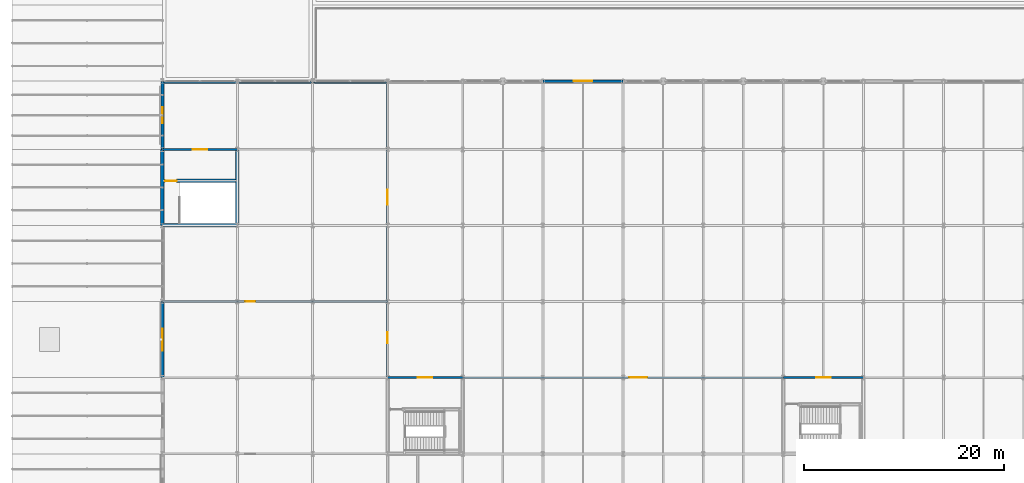
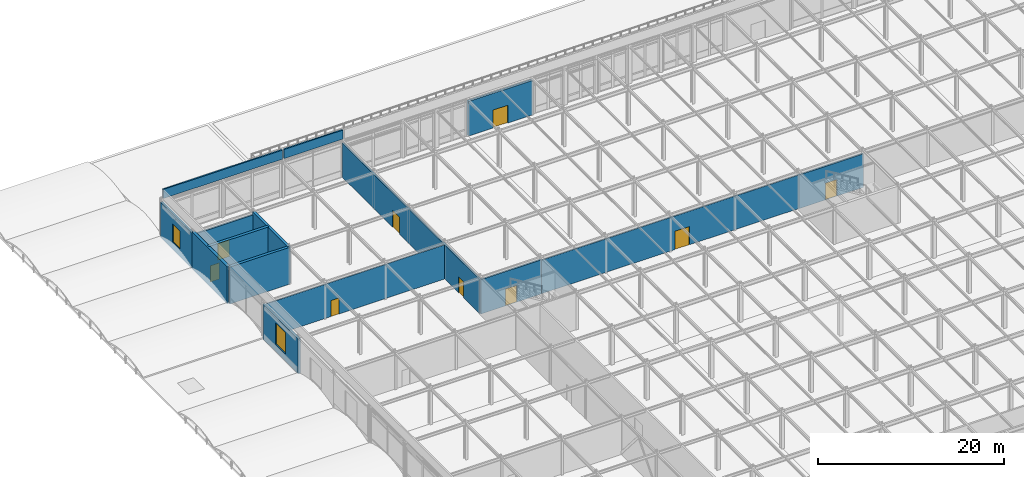
# One storey, part 100 of 113: 15 walls, 9 doors, 2 windows, 11 openings.
"""IFC4 building model written with IfcOpenShell, lengths in metres."""

from ifc_helpers import new_model, si_unit, direction, frame, frame_2d, origin, place, context, subcontext, project, spatial, rectangle, extrude, material, layer, layer_set, type_object, element, fill, save


model = new_model("IFC4")

# Units and contexts
model_context = context("Model", 3, precision=1e-05, world=origin(), true_north=direction((0.0, 1.0)))
body_context = subcontext(model_context, "Body", "Model", "MODEL_VIEW")
ifc_project = project(units=[si_unit("LENGTHUNIT", "METRE"), si_unit("AREAUNIT", "SQUARE_METRE"), si_unit("VOLUMEUNIT", "CUBIC_METRE"), si_unit("PLANEANGLEUNIT", "RADIAN"), si_unit("MASSUNIT", "GRAM", prefix="KILO")], contexts=[model_context])

# Site, building, storey
site_placement = place(None, origin())
site = spatial("IfcSite", under=ifc_project, at=site_placement, CompositionType="ELEMENT")
building_placement = place(site_placement, origin())
building = spatial("IfcBuilding", under=site, at=building_placement, Name="Shalkamar Park Central Library", CompositionType="ELEMENT")
storey_placement = place(building_placement, frame((0.0, 0.0, 5.39990234375)))
storey = spatial("IfcBuildingStorey", under=building, at=storey_placement, Name="L02", CompositionType="ELEMENT", Elevation=5.39990234375)

# Wall, opening, door
ifc_material_1 = material(Name="Acoustic insulated reading partition", Category="masonry")
ifc_layer_1 = layer(ifc_material_1, 0.139892578125)
ifc_layer_set_1 = layer_set([ifc_layer_1], Name="AcousticPartition_140")
wall_type_1 = type_object("IfcWallType", Name="Acoustic Partition 140", PredefinedType="PARTITIONING", material=ifc_layer_set_1)
wall_1_placement = place(storey_placement, frame((165.0, 308.39990234375, 0.0), z_axis=(0.0, 0.0, 1.0), x_axis=(1.0, 0.0, 0.0)))
wall_1 = element("IfcWall", 1, at=wall_1_placement, inside=storey, type_object=wall_type_1, Name="Interior Partition WL-INT-L02-028-S1", PredefinedType="PARTITIONING", context=body_context, shape_type="SweptSolid", body=[
    extrude(rectangle(XDim=32.0, YDim=0.139892578125, at=frame_2d((16.0, 0.0))), origin(), (0.0, 0.0, 1.0), 4.408203125),
])
opening_1_placement = place(wall_1_placement, frame((16.60009765625, 0.0, 0.0)))
opening_1 = element("IfcOpeningElement", 2, at=opening_1_placement, cuts=wall_1, Name="Opening DR-L02-032", PredefinedType="OPENING", context=body_context, shape_type="SweptSolid", body=[
    extrude(rectangle(XDim=1.800048828125, YDim=2.39990234375, at=frame_2d((0.89990234375, 1.199951171875))), frame((0.0, 0.0849609375, 0.0), z_axis=(0.0, -1.0, 0.0), x_axis=(1.0, 0.0, 0.0)), (0.0, 0.0, 1.0), 0.169677734375),
])
ifc_material_2 = material(Name="Steel S355", Category="steel")
door_type_1 = type_object("IfcDoorType", Name="Interior Door Double 1800x2400", OperationType="DOUBLE_DOOR_SINGLE_SWING", PredefinedType="DOOR", material=ifc_material_2)
door_1_placement = place(opening_1_placement, frame((1.800048828125, 0.0, 0.0), z_axis=(0.0, 0.0, 1.0), x_axis=(-1.0, 0.0, 0.0)))
door_1 = element("IfcDoor", 3, at=door_1_placement, inside=storey, type_object=door_type_1, Name="Humanities Reading Room West Portal", OperationType="DOUBLE_DOOR_SINGLE_SWING", OverallHeight=2.39990234375, OverallWidth=1.800048828125, PredefinedType="DOOR", context=body_context, shape_type="SweptSolid", body=[
    extrude(rectangle(XDim=1.800048828125, YDim=2.39990234375, at=frame_2d((0.89990234375, 1.199951171875))), frame((0.0, 0.02490234375, 0.0), z_axis=(0.0, -1.0, 0.0), x_axis=(1.0, 0.0, 0.0)), (0.0, 0.0, 1.0), 0.050048828125),
])
fill(opening_1, door_1)

ifc_material_3 = material(Name="Fire-rated corridor partition wall", Category="masonry")
ifc_layer_2 = layer(ifc_material_3, 0.199951171875)
ifc_layer_set_2 = layer_set([ifc_layer_2], Name="CorridorFireWall_200")
wall_type_2 = type_object("IfcWallType", Name="Corridor Fire Wall 200", PredefinedType="PARTITIONING", material=ifc_layer_set_2)
wall_2_placement = place(storey_placement, frame((157.5, 308.39990234375, 0.0), z_axis=(0.0, 0.0, 1.0), x_axis=(1.0, 0.0, 0.0)))
wall_2 = element("IfcWall", 4, at=wall_2_placement, inside=storey, type_object=wall_type_2, Name="CORE-P2 Vestibule North Wall (L02)", PredefinedType="PARTITIONING", context=body_context, shape_type="SweptSolid", body=[
    extrude(rectangle(XDim=7.5, YDim=0.199951171875, at=frame_2d((3.75, 0.0))), origin(), (0.0, 0.0, 1.0), 4.498046875),
])
opening_2_placement = place(wall_2_placement, frame((3.02490234375, 0.0, 0.0)))
opening_2 = element("IfcOpeningElement", 5, at=opening_2_placement, cuts=wall_2, Name="Opening DR-ST-P2-L02-VEST", PredefinedType="OPENING", context=body_context, shape_type="SweptSolid", body=[
    extrude(rectangle(XDim=1.449951171875, YDim=2.199951171875, at=frame_2d((0.72509765625, 1.10009765625))), frame((0.0, 0.11474609375, 0.0), z_axis=(0.0, -1.0, 0.0), x_axis=(1.0, 0.0, 0.0)), (0.0, 0.0, 1.0), 0.229736328125),
])
door_type_2 = type_object("IfcDoorType", Name="Stair Vestibule Door 1450x2200", OperationType="DOUBLE_DOOR_SINGLE_SWING", PredefinedType="DOOR", material=ifc_material_2)
door_2_placement = place(opening_2_placement, frame((1.449951171875, 0.0, 0.0), z_axis=(0.0, 0.0, 1.0), x_axis=(-1.0, 0.0, 0.0)))
door_2 = element("IfcDoor", 6, at=door_2_placement, inside=storey, type_object=door_type_2, Name="Protected Stair ST-P2 Vestibule Door (L02)", OperationType="DOUBLE_DOOR_SINGLE_SWING", OverallHeight=2.199951171875, OverallWidth=1.449951171875, PredefinedType="DOOR", context=body_context, shape_type="SweptSolid", body=[
    extrude(rectangle(XDim=1.449951171875, YDim=2.199951171875, at=frame_2d((0.72509765625, 1.10009765625))), frame((0.0, 0.02490234375, 0.0), z_axis=(0.0, -1.0, 0.0), x_axis=(1.0, 0.0, 0.0)), (0.0, 0.0, 1.0), 0.050048828125),
])
fill(opening_2, door_2)

wall_3_placement = place(storey_placement, frame((135.0, 331.199951171875, 0.0), z_axis=(0.0, 0.0, 1.0), x_axis=(1.0, 0.0, 0.0)))
wall_3 = element("IfcWall", 7, at=wall_3_placement, inside=storey, type_object=wall_type_2, Name="CORE-P5 Vestibule North Wall (L02)", PredefinedType="PARTITIONING", context=body_context, shape_type="SweptSolid", body=[
    extrude(rectangle(XDim=7.5, YDim=0.199951171875, at=frame_2d((3.75, 0.0))), origin(), (0.0, 0.0, 1.0), 4.488037109375),
])
opening_3_placement = place(wall_3_placement, frame((3.02490234375, 0.0, 0.0)))
opening_3 = element("IfcOpeningElement", 8, at=opening_3_placement, cuts=wall_3, Name="Opening DR-ST-P5-L02-VEST", PredefinedType="OPENING", context=body_context, shape_type="SweptSolid", body=[
    extrude(rectangle(XDim=1.449951171875, YDim=2.199951171875, at=frame_2d((0.72509765625, 1.10009765625))), frame((0.0, 0.11474609375, 0.0), z_axis=(0.0, -1.0, 0.0), x_axis=(1.0, 0.0, 0.0)), (0.0, 0.0, 1.0), 0.229736328125),
])
door_3_placement = place(opening_3_placement, frame((1.449951171875, 0.0, 0.0), z_axis=(0.0, 0.0, 1.0), x_axis=(-1.0, 0.0, 0.0)))
door_3 = element("IfcDoor", 9, at=door_3_placement, inside=storey, type_object=door_type_2, Name="Protected Stair ST-P5 Vestibule Door (L02)", OperationType="DOUBLE_DOOR_SINGLE_SWING", OverallHeight=2.199951171875, OverallWidth=1.449951171875, PredefinedType="DOOR", context=body_context, shape_type="SweptSolid", body=[
    extrude(rectangle(XDim=1.449951171875, YDim=2.199951171875, at=frame_2d((0.72509765625, 1.10009765625))), frame((0.0, 0.02490234375, 0.0), z_axis=(0.0, -1.0, 0.0), x_axis=(1.0, 0.0, 0.0)), (0.0, 0.0, 1.0), 0.050048828125),
])
fill(opening_3, door_3)

wall_4_placement = place(storey_placement, frame((197.0, 308.39990234375, 0.0), z_axis=(0.0, 0.0, 1.0), x_axis=(1.0, 0.0, 0.0)))
wall_4 = element("IfcWall", 10, at=wall_4_placement, inside=storey, type_object=wall_type_2, Name="CORE-P7 Vestibule North Wall (L02)", PredefinedType="PARTITIONING", context=body_context, shape_type="SweptSolid", body=[
    extrude(rectangle(XDim=8.0, YDim=0.199951171875, at=frame_2d((4.0, 0.0))), origin(), (0.0, 0.0, 1.0), 4.408203125),
])
opening_4_placement = place(wall_4_placement, frame((3.27490234375, 0.0, 0.0)))
opening_4 = element("IfcOpeningElement", 11, at=opening_4_placement, cuts=wall_4, Name="Opening DR-ST-P7-L02-VEST", PredefinedType="OPENING", context=body_context, shape_type="SweptSolid", body=[
    extrude(rectangle(XDim=1.449951171875, YDim=2.199951171875, at=frame_2d((0.72509765625, 1.10009765625))), frame((0.0, 0.11474609375, 0.0), z_axis=(0.0, -1.0, 0.0), x_axis=(1.0, 0.0, 0.0)), (0.0, 0.0, 1.0), 0.229736328125),
])
door_4_placement = place(opening_4_placement, frame((1.449951171875, 0.0, 0.0), z_axis=(0.0, 0.0, 1.0), x_axis=(-1.0, 0.0, 0.0)))
door_4 = element("IfcDoor", 12, at=door_4_placement, inside=storey, type_object=door_type_2, Name="Protected Stair ST-P7 Vestibule Door (L02)", OperationType="DOUBLE_DOOR_SINGLE_SWING", OverallHeight=2.199951171875, OverallWidth=1.449951171875, PredefinedType="DOOR", context=body_context, shape_type="SweptSolid", body=[
    extrude(rectangle(XDim=1.449951171875, YDim=2.199951171875, at=frame_2d((0.72509765625, 1.10009765625))), frame((0.0, 0.02490234375, 0.0), z_axis=(0.0, -1.0, 0.0), x_axis=(1.0, 0.0, 0.0)), (0.0, 0.0, 1.0), 0.050048828125),
])
fill(opening_4, door_4)

# Wall, openings, doors
wall_5_placement = place(storey_placement, frame((157.5, 308.39990234375, 0.0), z_axis=(0.0, 0.0, 1.0), x_axis=(0.0, 1.0, 0.0)))
wall_5 = element("IfcWall", 13, at=wall_5_placement, inside=storey, type_object=wall_type_2, Name="Interior Partition WL-INT-L02-020", PredefinedType="PARTITIONING", context=body_context, shape_type="SweptSolid", body=[
    extrude(rectangle(XDim=29.60009765625, YDim=0.199951171875, at=frame_2d((14.800048828125, 0.0))), origin(), (0.0, 0.0, 1.0), 4.498046875),
])
opening_5_placement = place(wall_5_placement, frame((3.449951171875, 0.0, 0.0)))
opening_5 = element("IfcOpeningElement", 14, at=opening_5_placement, cuts=wall_5, Name="Opening DR-L02-021", PredefinedType="OPENING", context=body_context, shape_type="SweptSolid", body=[
    extrude(rectangle(XDim=1.10009765625, YDim=2.10009765625, at=frame_2d((0.550048828125, 1.050048828125))), frame((0.0, 0.11474609375, 0.0), z_axis=(0.0, -1.0, 0.0), x_axis=(1.0, 0.0, 0.0)), (0.0, 0.0, 1.0), 0.229736328125),
])
opening_6_placement = place(wall_5_placement, frame((17.25, 0.0, 0.0)))
opening_6 = element("IfcOpeningElement", 15, at=opening_6_placement, cuts=wall_5, Name="Opening DR-L02-022", PredefinedType="OPENING", context=body_context, shape_type="SweptSolid", body=[
    extrude(rectangle(XDim=1.5, YDim=2.25, at=frame_2d((0.75, 1.125))), frame((0.0, 0.11474609375, 0.0), z_axis=(0.0, -1.0, 0.0), x_axis=(1.0, 0.0, 0.0)), (0.0, 0.0, 1.0), 0.229736328125),
])
door_type_3 = type_object("IfcDoorType", Name="Interior Door Double 1500x2250", OperationType="DOUBLE_DOOR_SINGLE_SWING", PredefinedType="DOOR", material=ifc_material_2)
door_5_placement = place(opening_6_placement, origin())
door_5 = element("IfcDoor", 16, at=door_5_placement, inside=storey, type_object=door_type_3, Name="Cataloguing Wing North Door", OperationType="DOUBLE_DOOR_SINGLE_SWING", OverallHeight=2.25, OverallWidth=1.5, PredefinedType="DOOR", context=body_context, shape_type="SweptSolid", body=[
    extrude(rectangle(XDim=1.5, YDim=2.25, at=frame_2d((0.75, 1.125))), frame((0.0, 0.02490234375, 0.0), z_axis=(0.0, -1.0, 0.0), x_axis=(1.0, 0.0, 0.0)), (0.0, 0.0, 1.0), 0.050048828125),
])
fill(opening_6, door_5)
door_type_4 = type_object("IfcDoorType", Name="Interior Door Single 1100x2100", OperationType="NOTDEFINED", PredefinedType="DOOR", material=ifc_material_2)
door_6_placement = place(opening_5_placement, frame((1.10009765625, 0.0, 0.0), z_axis=(0.0, 0.0, 1.0), x_axis=(-1.0, 0.0, 0.0)))
door_6 = element("IfcDoor", 17, at=door_6_placement, inside=storey, type_object=door_type_4, Name="Braille Reading Room Door", OperationType="SINGLE_SWING_RIGHT", OverallHeight=2.10009765625, OverallWidth=1.10009765625, PredefinedType="DOOR", context=body_context, shape_type="SweptSolid", body=[
    extrude(rectangle(XDim=1.10009765625, YDim=2.10009765625, at=frame_2d((0.550048828125, 1.050048828125))), frame((0.0, 0.02490234375, 0.0), z_axis=(0.0, -1.0, 0.0), x_axis=(1.0, 0.0, 0.0)), (0.0, 0.0, 1.0), 0.050048828125),
])
fill(opening_5, door_6)

# Walls
ifc_material_4 = material(Name="Concrete C40/50", Category="concrete")
ifc_layer_3 = layer(ifc_material_4, 0.35009765625)
ifc_layer_set_3 = layer_set([ifc_layer_3], Name="Concrete C40/50")
wall_type_3 = type_object("IfcWallType", Name="Podium Core Shear Wall 350", PredefinedType="SHEAR", material=ifc_layer_set_3)
wall_6_placement = place(storey_placement, frame((135.0, 323.60009765625, 0.0), z_axis=(0.0, 0.0, 1.0), x_axis=(1.0, 0.0, 0.0)))
element("IfcWall", 18, at=wall_6_placement, inside=storey, type_object=wall_type_3, Name="CORE-P5 South Shear Wall (L02)", PredefinedType="SHEAR", context=body_context, shape_type="SweptSolid", body=[
    extrude(rectangle(XDim=7.5, YDim=0.35009765625, at=frame_2d((3.75, 0.0))), origin(), (0.0, 0.0, 1.0), 4.85009765625),
])
for number, where, z_axis, x_axis, name in (
    (19, (135.0, 323.60009765625, 0.0), (0.0, 0.0, 1.0), (0.0, 1.0, 0.0), "CORE-P5 West Shear Wall (L02)"),
    (20, (142.5, 323.60009765625, 0.0), (0.0, 0.0, 1.0), (0.0, 1.0, 0.0), "CORE-P5 East Shear Wall (L02)"),
):
    element("IfcWall", number, at=place(storey_placement, frame(where, z_axis=z_axis, x_axis=x_axis)), inside=storey, type_object=wall_type_3, Name=name, PredefinedType="SHEAR", context=body_context, shape_type="SweptSolid", body=[
        extrude(rectangle(XDim=7.599853515625, YDim=0.35009765625, at=frame_2d((3.7998046875, 0.0))), origin(), (0.0, 0.0, 1.0), 4.85009765625),
    ])

# Wall, opening, door
wall_7_placement = place(storey_placement, frame((135.0, 328.050048828125, 0.0), z_axis=(0.0, 0.0, 1.0), x_axis=(1.0, 0.0, 0.0)))
wall_7 = element("IfcWall", 21, at=wall_7_placement, inside=storey, type_object=wall_type_3, Name="CORE-P5 Stairwell Wall (L02)", PredefinedType="SHEAR", context=body_context, shape_type="SweptSolid", body=[
    extrude(rectangle(XDim=7.5, YDim=0.35009765625, at=frame_2d((3.75, 0.0))), origin(), (0.0, 0.0, 1.0), 4.85009765625),
])
opening_7_placement = place(wall_7_placement, frame((0.27490234375, 0.0, 0.0)))
opening_7 = element("IfcOpeningElement", 22, at=opening_7_placement, cuts=wall_7, Name="Opening DR-ST-P5-L02-IN", PredefinedType="OPENING", context=body_context, shape_type="SweptSolid", body=[
    extrude(rectangle(XDim=1.14990234375, YDim=2.14990234375, at=frame_2d((0.574951171875, 1.074951171875))), frame((0.0, 0.18994140625, 0.0), z_axis=(0.0, -1.0, 0.0), x_axis=(1.0, 0.0, 0.0)), (0.0, 0.0, 1.0), 0.3798828125),
])
door_type_5 = type_object("IfcDoorType", Name="Stair Core Exit Door 1150x2150", OperationType="NOTDEFINED", PredefinedType="DOOR", material=ifc_material_2)
door_7_placement = place(opening_7_placement, frame((1.14990234375, 0.0, 0.0), z_axis=(0.0, 0.0, 1.0), x_axis=(-1.0, 0.0, 0.0)))
door_7 = element("IfcDoor", 23, at=door_7_placement, inside=storey, type_object=door_type_5, Name="Protected Stair ST-P5 Exit Door (L02)", OperationType="SINGLE_SWING_RIGHT", OverallHeight=2.14990234375, OverallWidth=1.14990234375, PredefinedType="DOOR", context=body_context, shape_type="SweptSolid", body=[
    extrude(rectangle(XDim=1.14990234375, YDim=2.14990234375, at=frame_2d((0.574951171875, 1.074951171875))), frame((0.0, 0.02490234375, 0.0), z_axis=(0.0, -1.0, 0.0), x_axis=(1.0, 0.0, 0.0)), (0.0, 0.0, 1.0), 0.050048828125),
])
fill(opening_7, door_7)

# Walls
ifc_material_5 = material(Name="Concrete C35/45 precast", Category="concrete")
ifc_layer_4 = layer(ifc_material_5, 0.179931640625)
ifc_layer_set_4 = layer_set([ifc_layer_4], Name="Concrete C35/45 precast")
wall_type_4 = type_object("IfcWallType", Name="Roof Parapet Wall 180", PredefinedType="PARAPET", material=ifc_layer_set_4)
wall_8_placement = place(storey_placement, frame((135.10009765625, 337.89990234375, 5.10009765625), z_axis=(0.0, 0.0, 1.0), x_axis=(1.0, 0.0, 0.0)))
element("IfcWall", 24, at=wall_8_placement, inside=storey, type_object=wall_type_4, Name="Roof Parapet Wall L02-12", PredefinedType="PARAPET", context=body_context, shape_type="SweptSolid", body=[
    extrude(rectangle(XDim=14.7998046875, YDim=0.179931640625, at=frame_2d((7.39990234375, 0.0))), origin(), (0.0, 0.0, 1.0), 1.199951171875),
])
wall_9_placement = place(storey_placement, frame((150.10009765625, 337.89990234375, 5.10009765625), z_axis=(0.0, 0.0, 1.0), x_axis=(1.0, 0.0, 0.0)))
element("IfcWall", 25, at=wall_9_placement, inside=storey, type_object=wall_type_4, Name="Roof Parapet Wall L02-14", PredefinedType="PARAPET", context=body_context, shape_type="SweptSolid", body=[
    extrude(rectangle(XDim=7.2998046875, YDim=0.179931640625, at=frame_2d((3.64990234375, 0.0))), origin(), (0.0, 0.0, 1.0), 1.199951171875),
])

# Wall, opening, door
ifc_material_6 = material(Name="Lightweight acoustic stud partition", Category="masonry")
ifc_layer_5 = layer(ifc_material_6, 0.1201171875)
ifc_layer_set_5 = layer_set([ifc_layer_5], Name="StandardPartition_120")
wall_type_5 = type_object("IfcWallType", Name="Standard Partition 120", PredefinedType="PARTITIONING", material=ifc_layer_set_5)
wall_10_placement = place(storey_placement, frame((135.0, 316.0, 0.0), z_axis=(0.0, 0.0, 1.0), x_axis=(1.0, 0.0, 0.0)))
wall_10 = element("IfcWall", 26, at=wall_10_placement, inside=storey, type_object=wall_type_5, Name="Interior Partition WL-INT-L02-024", PredefinedType="PARTITIONING", context=body_context, shape_type="SweptSolid", body=[
    extrude(rectangle(XDim=22.5, YDim=0.1201171875, at=frame_2d((11.25, 0.0))), origin(), (0.0, 0.0, 1.0), 4.488037109375),
])
opening_8_placement = place(wall_10_placement, frame((8.300048828125, 0.0, 0.0)))
opening_8 = element("IfcOpeningElement", 27, at=opening_8_placement, cuts=wall_10, Name="Opening DR-L02-026", PredefinedType="OPENING", context=body_context, shape_type="SweptSolid", body=[
    extrude(rectangle(XDim=1.0, YDim=2.10009765625, at=frame_2d((0.5, 1.050048828125))), frame((0.0, 0.074951171875, 0.0), z_axis=(0.0, -1.0, 0.0), x_axis=(1.0, 0.0, 0.0)), (0.0, 0.0, 1.0), 0.14990234375),
])
door_type_6 = type_object("IfcDoorType", Name="Interior Door Single 1000x2100", OperationType="NOTDEFINED", PredefinedType="DOOR", material=ifc_material_2)
door_8_placement = place(opening_8_placement, origin())
door_8 = element("IfcDoor", 28, at=door_8_placement, inside=storey, type_object=door_type_6, Name="Cataloguing Suite Interconnect Door", OperationType="SINGLE_SWING_LEFT", OverallHeight=2.10009765625, OverallWidth=1.0, PredefinedType="DOOR", context=body_context, shape_type="SweptSolid", body=[
    extrude(rectangle(XDim=1.0, YDim=2.10009765625, at=frame_2d((0.5, 1.050048828125))), frame((0.0, 0.02490234375, 0.0), z_axis=(0.0, -1.0, 0.0), x_axis=(1.0, 0.0, 0.0)), (0.0, 0.0, 1.0), 0.050048828125),
])
fill(opening_8, door_8)

ifc_material_7 = material(Name="Travertine insulated rainscreen", Category="masonry")
ifc_layer_6 = layer(ifc_material_7, 0.2900390625)
ifc_layer_set_6 = layer_set([ifc_layer_6], Name="TravertineTerracottaWall_290")
wall_type_6 = type_object("IfcWallType", Name="Travertine Terracotta Wall 290", PredefinedType="SOLIDWALL", material=ifc_layer_set_6)
wall_11_placement = place(storey_placement, frame((173.006103515625, 338.0, 0.0), z_axis=(0.0, 0.0, 1.0), x_axis=(1.0, 0.0, 0.0)))
wall_11 = element("IfcWall", 29, at=wall_11_placement, inside=storey, type_object=wall_type_6, Name="Exterior Facade Wall WL-EXT-L02-065", PredefinedType="SOLIDWALL", context=body_context, shape_type="SweptSolid", body=[
    extrude(rectangle(XDim=7.98779296875, YDim=0.2900390625, at=frame_2d((3.993896484375, 0.0))), origin(), (0.0, 0.0, 1.0), 4.5380859375),
])
opening_9_placement = place(wall_11_placement, frame((3.069091796875, 0.0, 0.0)))
opening_9 = element("IfcOpeningElement", 30, at=opening_9_placement, cuts=wall_11, Name="Opening ED-L02-032", PredefinedType="OPENING", context=body_context, shape_type="SweptSolid", body=[
    extrude(rectangle(XDim=1.85009765625, YDim=2.35009765625, at=frame_2d((0.925048828125, 1.175048828125))), frame((0.0, 0.159912109375, 0.0), z_axis=(0.0, -1.0, 0.0), x_axis=(1.0, 0.0, 0.0)), (0.0, 0.0, 1.0), 0.31982421875),
])
ifc_material_8 = material(Name="Thermally broken insulated aluminium and glazed door", Category="aluminium")
door_type_7 = type_object("IfcDoorType", Name="Podium Terrace Door 1850x2350", OperationType="DOUBLE_DOOR_SINGLE_SWING", PredefinedType="DOOR", material=ifc_material_8)
door_9_placement = place(opening_9_placement, origin())
door_9 = element("IfcDoor", 31, at=door_9_placement, inside=storey, type_object=door_type_7, Name="L02 Park Reading Terrace Door 08", OperationType="DOUBLE_DOOR_SINGLE_SWING", OverallHeight=2.35009765625, OverallWidth=1.85009765625, PredefinedType="DOOR", context=body_context, shape_type="SweptSolid", body=[
    extrude(rectangle(XDim=1.85009765625, YDim=2.35009765625, at=frame_2d((0.925048828125, 1.175048828125))), frame((0.0, 0.02490234375, 0.0), z_axis=(0.0, -1.0, 0.0), x_axis=(1.0, 0.0, 0.0)), (0.0, 0.0, 1.0), 0.050048828125),
])
fill(opening_9, door_9)

# Wall, opening, window
wall_12_placement = place(storey_placement, frame((135.0, 308.406005859375, 0.0), z_axis=(0.0, 0.0, 1.0), x_axis=(0.0, 1.0, 0.0)))
wall_12 = element("IfcWall", 32, at=wall_12_placement, inside=storey, type_object=wall_type_6, Name="Exterior Facade Wall WL-EXT-L02-074", PredefinedType="SOLIDWALL", context=body_context, shape_type="SweptSolid", body=[
    extrude(rectangle(XDim=7.587890625, YDim=0.2900390625, at=frame_2d((3.7939453125, 0.0))), origin(), (0.0, 0.0, 1.0), 4.578125),
])
opening_10_placement = place(wall_12_placement, frame((2.694091796875, 0.0, 0.949951171875)))
opening_10 = element("IfcOpeningElement", 33, at=opening_10_placement, cuts=wall_12, Name="Opening WN-04", PredefinedType="OPENING", context=body_context, shape_type="SweptSolid", body=[
    extrude(rectangle(XDim=2.199951171875, YDim=2.800048828125, at=frame_2d((1.10009765625, 1.39990234375))), frame((0.0, 0.159912109375, 0.0), z_axis=(0.0, -1.0, 0.0), x_axis=(1.0, 0.0, 0.0)), (0.0, 0.0, 1.0), 0.31982421875),
])
ifc_material_9 = material(Name="Thermally broken aluminium and triple low-e glass", Category="glass")
window_type_1 = type_object("IfcWindowType", Name="Podium Window 2200x2800", PartitioningType="DOUBLE_PANEL_VERTICAL", PredefinedType="WINDOW", material=ifc_material_9)
window_1_placement = place(opening_10_placement, origin())
window_1 = element("IfcWindow", 34, at=window_1_placement, inside=storey, type_object=window_type_1, Name="Facade Window WN-L02-039", OverallHeight=2.800048828125, OverallWidth=2.199951171875, PartitioningType="DOUBLE_PANEL_VERTICAL", PredefinedType="WINDOW", context=body_context, shape_type="SweptSolid", body=[
    extrude(rectangle(XDim=2.199951171875, YDim=2.800048828125, at=frame_2d((1.10009765625, 1.39990234375))), frame((0.0, 0.030029296875, 0.0), z_axis=(0.0, -1.0, 0.0), x_axis=(1.0, 0.0, 0.0)), (0.0, 0.0, 1.0), 0.06005859375),
])
fill(opening_10, window_1)

wall_13_placement = place(storey_placement, frame((135.0, 331.2060546875, 0.0), z_axis=(0.0, 0.0, 1.0), x_axis=(0.0, 1.0, 0.0)))
wall_13 = element("IfcWall", 35, at=wall_13_placement, inside=storey, type_object=wall_type_6, Name="Exterior Facade Wall WL-EXT-L02-075", PredefinedType="SOLIDWALL", context=body_context, shape_type="SweptSolid", body=[
    extrude(rectangle(XDim=6.787841796875, YDim=0.2900390625, at=frame_2d((3.39404296875, 0.0))), origin(), (0.0, 0.0, 1.0), 4.6181640625),
])
opening_11_placement = place(wall_13_placement, frame((2.593994140625, 0.0, 0.949951171875)))
opening_11 = element("IfcOpeningElement", 36, at=opening_11_placement, cuts=wall_13, Name="Opening WN-07", PredefinedType="OPENING", context=body_context, shape_type="SweptSolid", body=[
    extrude(rectangle(XDim=1.60009765625, YDim=2.39990234375, at=frame_2d((0.800048828125, 1.199951171875))), frame((0.0, 0.159912109375, 0.0), z_axis=(0.0, -1.0, 0.0), x_axis=(1.0, 0.0, 0.0)), (0.0, 0.0, 1.0), 0.31982421875),
])
window_type_2 = type_object("IfcWindowType", Name="Podium Window 1600x2400", PartitioningType="SINGLE_PANEL", PredefinedType="WINDOW", material=ifc_material_9)
window_2_placement = place(opening_11_placement, origin())
window_2 = element("IfcWindow", 37, at=window_2_placement, inside=storey, type_object=window_type_2, Name="Facade Window WN-L02-040", OverallHeight=2.39990234375, OverallWidth=1.60009765625, PartitioningType="SINGLE_PANEL", PredefinedType="WINDOW", context=body_context, shape_type="SweptSolid", body=[
    extrude(rectangle(XDim=1.60009765625, YDim=2.39990234375, at=frame_2d((0.800048828125, 1.199951171875))), frame((0.0, 0.030029296875, 0.0), z_axis=(0.0, -1.0, 0.0), x_axis=(1.0, 0.0, 0.0)), (0.0, 0.0, 1.0), 0.06005859375),
])
fill(opening_11, window_2)

save(model, "model.ifc")
